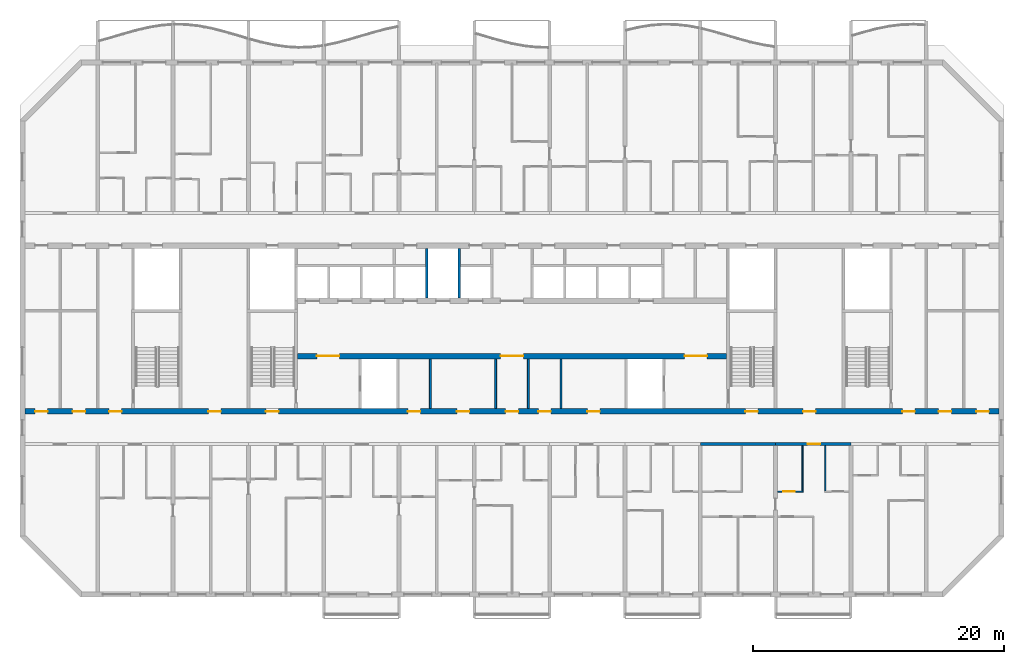
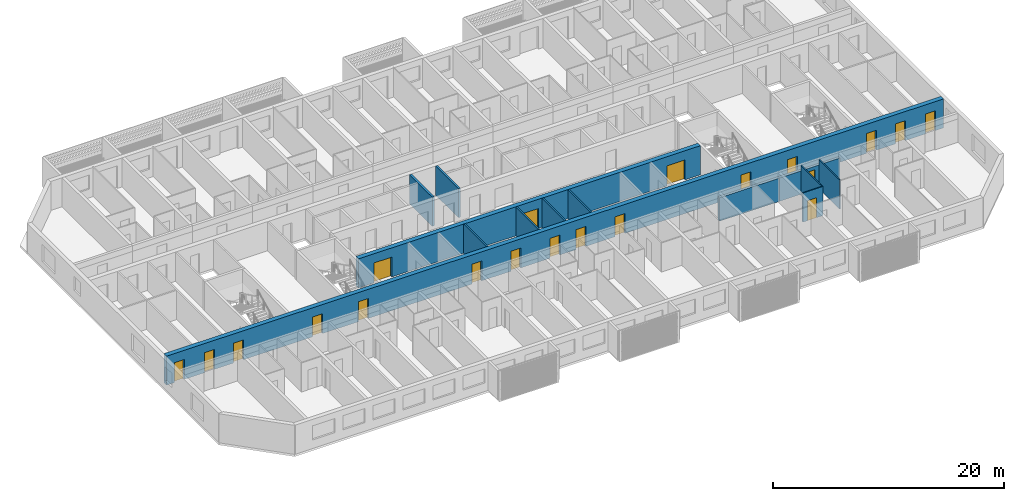
# One storey, part 6 of 32: 20 doors, 13 walls, 20 openings.
"""IFC4 building model written with IfcOpenShell, lengths in metres."""

from ifc_helpers import new_model, si_unit, direction, frame, frame_2d, origin, place, context, subcontext, project, spatial, rectangle, extrude, material, layer, layer_set, type_object, element, fill, save


model = new_model("IFC4")

# Units and contexts
model_context = context("Model", 3, precision=1e-05, world=origin(), true_north=direction((0.0, 1.0)))
body_context = subcontext(model_context, "Body", "Model", "MODEL_VIEW")
ifc_project = project(units=[si_unit("LENGTHUNIT", "METRE"), si_unit("AREAUNIT", "SQUARE_METRE"), si_unit("VOLUMEUNIT", "CUBIC_METRE"), si_unit("PLANEANGLEUNIT", "RADIAN"), si_unit("MASSUNIT", "GRAM", prefix="KILO")], contexts=[model_context])

# Site, building, storey
site_placement = place(None, origin())
site = spatial("IfcSite", under=ifc_project, at=site_placement, CompositionType="ELEMENT")
building_placement = place(site_placement, origin())
building = spatial("IfcBuilding", under=site, at=building_placement, Name="Poui Terraces", CompositionType="ELEMENT")
storey_placement = place(building_placement, frame((0.0, 0.0, 122.39990234375)))
storey = spatial("IfcBuildingStorey", under=building, at=storey_placement, Name="L33", CompositionType="ELEMENT", Elevation=122.39990234375)

# Wall, openings, doors
ifc_material_1 = material(Name="Concrete 65 MPa", Category="concrete")
ifc_layer_1 = layer(ifc_material_1, 0.449951171875)
ifc_layer_set_1 = layer_set([ifc_layer_1], Name="Concrete 65 MPa")
wall_type_1 = type_object("IfcWallType", Name="CORE WALL 450 65 MPA", PredefinedType="SOLIDWALL", material=ifc_layer_set_1)
wall_1_placement = place(storey_placement, frame((33.925048828125, 19.0, 0.0), z_axis=(0.0, 0.0, 1.0), x_axis=(1.0, 0.0, 0.0)))
wall_1 = element("IfcWall", 1, at=wall_1_placement, inside=storey, type_object=wall_type_1, Name="CORE WALL", PredefinedType="SOLIDWALL", context=body_context, shape_type="SweptSolid", body=[
    extrude(rectangle(XDim=34.14990234375, YDim=0.449951171875, at=frame_2d((17.074951171875, 0.0))), origin(), (0.0, 0.0, 1.0), 3.070068359375),
])
opening_1_placement = place(wall_1_placement, frame((16.175048828125, 0.0, 0.0)))
opening_1 = element("IfcOpeningElement", 2, at=opening_1_placement, cuts=wall_1, Name="Opening FDD60", PredefinedType="OPENING", context=body_context, shape_type="SweptSolid", body=[
    extrude(rectangle(XDim=1.800048828125, YDim=2.10009765625, at=frame_2d((0.89990234375, 1.050048828125))), frame((0.0, 0.23486328125, 0.0), z_axis=(0.0, -1.0, 0.0), x_axis=(1.0, 0.0, 0.0)), (0.0, 0.0, 1.0), 0.469970703125),
])
opening_2_placement = place(wall_1_placement, frame((1.52490234375, 0.0, 0.0)))
opening_2 = element("IfcOpeningElement", 3, at=opening_2_placement, cuts=wall_1, Name="Opening FDD60", PredefinedType="OPENING", context=body_context, shape_type="SweptSolid", body=[
    extrude(rectangle(XDim=1.800048828125, YDim=2.10009765625, at=frame_2d((0.89990234375, 1.050048828125))), frame((0.0, 0.23486328125, 0.0), z_axis=(0.0, -1.0, 0.0), x_axis=(1.0, 0.0, 0.0)), (0.0, 0.0, 1.0), 0.469970703125),
])
opening_3_placement = place(wall_1_placement, frame((30.824951171875, 0.0, 0.0)))
opening_3 = element("IfcOpeningElement", 4, at=opening_3_placement, cuts=wall_1, Name="Opening FDD60", PredefinedType="OPENING", context=body_context, shape_type="SweptSolid", body=[
    extrude(rectangle(XDim=1.800048828125, YDim=2.10009765625, at=frame_2d((0.89990234375, 1.050048828125))), frame((0.0, 0.23486328125, 0.0), z_axis=(0.0, -1.0, 0.0), x_axis=(1.0, 0.0, 0.0)), (0.0, 0.0, 1.0), 0.469970703125),
])
ifc_material_2 = material(Name="Steel fire door", Category="steel")
door_type_1 = type_object("IfcDoorType", Name="DOUBLE LOBBY FIRE DOOR 1800 X 2100", OperationType="DOUBLE_DOOR_SINGLE_SWING", PredefinedType="DOOR", material=ifc_material_2)
door_1_placement = place(opening_1_placement, frame((1.800048828125, 0.0, 0.0), z_axis=(0.0, 0.0, 1.0), x_axis=(-1.0, 0.0, 0.0)))
door_1 = element("IfcDoor", 5, at=door_1_placement, inside=storey, type_object=door_type_1, Name="DOUBLE LOBBY FIRE DOOR 126", OperationType="DOUBLE_DOOR_SINGLE_SWING", OverallHeight=2.10009765625, OverallWidth=1.800048828125, PredefinedType="DOOR", context=body_context, shape_type="SweptSolid", body=[
    extrude(rectangle(XDim=1.800048828125, YDim=2.10009765625, at=frame_2d((0.89990234375, 1.050048828125))), frame((0.0, 0.02490234375, 0.0), z_axis=(0.0, -1.0, 0.0), x_axis=(1.0, 0.0, 0.0)), (0.0, 0.0, 1.0), 0.050048828125),
])
fill(opening_1, door_1)
door_2_placement = place(opening_2_placement, origin())
door_2 = element("IfcDoor", 6, at=door_2_placement, inside=storey, type_object=door_type_1, Name="DOUBLE LOBBY FIRE DOOR 128", OperationType="DOUBLE_DOOR_SINGLE_SWING", OverallHeight=2.10009765625, OverallWidth=1.800048828125, PredefinedType="DOOR", context=body_context, shape_type="SweptSolid", body=[
    extrude(rectangle(XDim=1.800048828125, YDim=2.10009765625, at=frame_2d((0.89990234375, 1.050048828125))), frame((0.0, 0.02490234375, 0.0), z_axis=(0.0, -1.0, 0.0), x_axis=(1.0, 0.0, 0.0)), (0.0, 0.0, 1.0), 0.050048828125),
])
fill(opening_2, door_2)
door_3_placement = place(opening_3_placement, origin())
door_3 = element("IfcDoor", 7, at=door_3_placement, inside=storey, type_object=door_type_1, Name="DOUBLE LOBBY FIRE DOOR 135", OperationType="DOUBLE_DOOR_SINGLE_SWING", OverallHeight=2.10009765625, OverallWidth=1.800048828125, PredefinedType="DOOR", context=body_context, shape_type="SweptSolid", body=[
    extrude(rectangle(XDim=1.800048828125, YDim=2.10009765625, at=frame_2d((0.89990234375, 1.050048828125))), frame((0.0, 0.02490234375, 0.0), z_axis=(0.0, -1.0, 0.0), x_axis=(1.0, 0.0, 0.0)), (0.0, 0.0, 1.0), 0.050048828125),
])
fill(opening_3, door_3)

# Walls
ifc_material_3 = material(Name="Fire-rated plasterboard wall")
ifc_layer_2 = layer(ifc_material_3, 0.14990234375)
ifc_layer_set_2 = layer_set([ifc_layer_2], Name="Fire-rated plasterboard wall")
wall_type_2 = type_object("IfcWallType", Name="CORRIDOR WALL 150", PredefinedType="PARTITIONING", material=ifc_layer_set_2)
for number, where, z_axis, x_axis, name in (
    (8, (49.699951171875, 14.8349609375, 0.0), (0.0, 0.0, 1.0), (0.0, 1.0, 0.0), "CORRIDOR WALL 150"),
    (9, (52.300048828125, 14.8349609375, 0.0), (0.0, 0.0, 1.0), (0.0, 1.0, 0.0), "CORRIDOR WALL 150"),
):
    element("IfcWall", number, at=place(storey_placement, frame(where, z_axis=z_axis, x_axis=x_axis)), inside=storey, type_object=wall_type_2, Name=name, PredefinedType="PARTITIONING", context=body_context, shape_type="SweptSolid", body=[
        extrude(rectangle(XDim=3.929931640625, YDim=0.14990234375, at=frame_2d((1.96484375, 0.0))), origin(), (0.0, 0.0, 1.0), 3.070068359375),
    ])
ifc_layer_3 = layer(ifc_material_1, 0.25)
ifc_layer_set_3 = layer_set([ifc_layer_3], Name="Concrete 65 MPa")
wall_type_3 = type_object("IfcWallType", Name="CORRIDOR WALL 250 65MPa", PredefinedType="SHEAR", material=ifc_layer_set_3)
wall_2_placement = place(storey_placement, frame((66.0, 12.0, 0.0), z_axis=(0.0, 0.0, 1.0), x_axis=(1.0, 0.0, 0.0)))
element("IfcWall", 10, at=wall_2_placement, inside=storey, type_object=wall_type_3, Name="CORRIDOR WALL LINE B BAY 10", PredefinedType="SHEAR", context=body_context, shape_type="SweptSolid", body=[
    extrude(rectangle(XDim=6.0, YDim=0.25, at=frame_2d((3.0, 0.0))), origin(), (0.0, 0.0, 1.0), 2.47021484375),
])

# Wall, opening, door
wall_3_placement = place(storey_placement, frame((72.0, 12.0, 0.0), z_axis=(0.0, 0.0, 1.0), x_axis=(1.0, 0.0, 0.0)))
wall_3 = element("IfcWall", 11, at=wall_3_placement, inside=storey, type_object=wall_type_3, Name="CORRIDOR WALL LINE B BAY 11", PredefinedType="SHEAR", context=body_context, shape_type="SweptSolid", body=[
    extrude(rectangle(XDim=6.0, YDim=0.25, at=frame_2d((3.0, 0.0))), origin(), (0.0, 0.0, 1.0), 2.47021484375),
])
opening_4_placement = place(wall_3_placement, frame((2.550048828125, 0.0, 0.0)))
opening_4 = element("IfcOpeningElement", 12, at=opening_4_placement, cuts=wall_3, Name="Opening FD30S", PredefinedType="OPENING", context=body_context, shape_type="SweptSolid", body=[
    extrude(rectangle(XDim=1.0, YDim=2.10009765625, at=frame_2d((0.5, 1.050048828125))), frame((0.0, 0.135009765625, 0.0), z_axis=(0.0, -1.0, 0.0), x_axis=(1.0, 0.0, 0.0)), (0.0, 0.0, 1.0), 0.27001953125),
])
door_type_2 = type_object("IfcDoorType", Name="FLAT ENTRANCE DOOR 1000 X 2100", OperationType="NOTDEFINED", PredefinedType="DOOR", material=ifc_material_2)
door_4_placement = place(opening_4_placement, frame((1.0, 0.0, 0.0), z_axis=(0.0, 0.0, 1.0), x_axis=(-1.0, 0.0, 0.0)))
door_4 = element("IfcDoor", 13, at=door_4_placement, inside=storey, type_object=door_type_2, Name="FLAT ENTRANCE DOOR 114", OperationType="SINGLE_SWING_LEFT", OverallHeight=2.10009765625, OverallWidth=1.0, PredefinedType="DOOR", context=body_context, shape_type="SweptSolid", body=[
    extrude(rectangle(XDim=1.0, YDim=2.10009765625, at=frame_2d((0.5, 1.050048828125))), frame((0.0, 0.02490234375, 0.0), z_axis=(0.0, -1.0, 0.0), x_axis=(1.0, 0.0, 0.0)), (0.0, 0.0, 1.0), 0.050048828125),
])
fill(opening_4, door_4)

ifc_material_4 = material(Name="Plasterboard partition")
ifc_layer_4 = layer(ifc_material_4, 0.10009765625)
ifc_layer_set_4 = layer_set([ifc_layer_4], Name="Plasterboard partition")
wall_type_4 = type_object("IfcWallType", Name="FLAT PARTITION 100", PredefinedType="PARTITIONING", material=ifc_layer_set_4)
wall_4_placement = place(storey_placement, frame((72.159912109375, 8.199951171875, 0.0), z_axis=(0.0, 0.0, 1.0), x_axis=(1.0, 0.0, 0.0)))
wall_4 = element("IfcWall", 14, at=wall_4_placement, inside=storey, type_object=wall_type_4, Name="FLAT PARTITION 100", PredefinedType="PARTITIONING", context=body_context, shape_type="SweptSolid", body=[
    extrude(rectangle(XDim=2.0400390625, YDim=0.10009765625, at=frame_2d((1.02001953125, 0.0))), origin(), (0.0, 0.0, 1.0), 3.070068359375),
])
opening_5_placement = place(wall_4_placement, frame((0.465087890625, 0.0, 0.0)))
opening_5 = element("IfcOpeningElement", 15, at=opening_5_placement, cuts=wall_4, Name="Opening D90", PredefinedType="OPENING", context=body_context, shape_type="SweptSolid", body=[
    extrude(rectangle(XDim=0.89990234375, YDim=2.10009765625, at=frame_2d((0.449951171875, 1.050048828125))), frame((0.0, 0.06005859375, 0.0), z_axis=(0.0, -1.0, 0.0), x_axis=(1.0, 0.0, 0.0)), (0.0, 0.0, 1.0), 0.1201171875),
])
ifc_material_5 = material(Name="Solid core timber door", Category="wood")
door_type_3 = type_object("IfcDoorType", Name="INTERNAL DOOR 900 X 2100", OperationType="NOTDEFINED", PredefinedType="DOOR", material=ifc_material_5)
door_5_placement = place(opening_5_placement, origin())
door_5 = element("IfcDoor", 16, at=door_5_placement, inside=storey, type_object=door_type_3, Name="INTERNAL DOOR 113", OperationType="SINGLE_SWING_LEFT", OverallHeight=2.10009765625, OverallWidth=0.89990234375, PredefinedType="DOOR", context=body_context, shape_type="SweptSolid", body=[
    extrude(rectangle(XDim=0.89990234375, YDim=2.10009765625, at=frame_2d((0.449951171875, 1.050048828125))), frame((0.0, 0.02490234375, 0.0), z_axis=(0.0, -1.0, 0.0), x_axis=(1.0, 0.0, 0.0)), (0.0, 0.0, 1.0), 0.050048828125),
])
fill(opening_5, door_5)

# Walls
for number, where, z_axis, x_axis, name in (
    (17, (74.14990234375, 8.25, 0.0), (0.0, 0.0, 1.0), (0.0, 1.0, 0.0), "FLAT PARTITION 100"),
    (18, (75.949951171875, 8.25, 0.0), (0.0, 0.0, 1.0), (0.0, 1.0, 0.0), "FLAT PARTITION 100"),
):
    element("IfcWall", number, at=place(storey_placement, frame(where, z_axis=z_axis, x_axis=x_axis)), inside=storey, type_object=wall_type_4, Name=name, PredefinedType="PARTITIONING", context=body_context, shape_type="SweptSolid", body=[
        extrude(rectangle(XDim=3.614990234375, YDim=0.10009765625, at=frame_2d((1.8076171875, 0.0))), origin(), (0.0, 0.0, 1.0), 3.070068359375),
    ])
ifc_layer_5 = layer(ifc_material_4, 0.14990234375)
ifc_layer_set_5 = layer_set([ifc_layer_5], Name="Plasterboard partition")
wall_type_5 = type_object("IfcWallType", Name="PARTITION WALL 150", PredefinedType="PARTITIONING", material=ifc_layer_set_5)
for number, where, z_axis, x_axis, name in (
    (19, (44.5, 14.8349609375, 0.0), (0.0, 0.0, 1.0), (0.0, 1.0, 0.0), "PARTITION WALL 150"),
    (20, (54.89990234375, 14.8349609375, 0.0), (0.0, 0.0, 1.0), (0.0, 1.0, 0.0), "PARTITION WALL 150"),
):
    element("IfcWall", number, at=place(storey_placement, frame(where, z_axis=z_axis, x_axis=x_axis)), inside=storey, type_object=wall_type_5, Name=name, PredefinedType="PARTITIONING", context=body_context, shape_type="SweptSolid", body=[
        extrude(rectangle(XDim=3.929931640625, YDim=0.14990234375, at=frame_2d((1.96484375, 0.0))), origin(), (0.0, 0.0, 1.0), 3.070068359375),
    ])
ifc_material_6 = material(Name="Fire-rated masonry shaft wall", Category="masonry")
ifc_layer_6 = layer(ifc_material_6, 0.199951171875)
ifc_layer_set_6 = layer_set([ifc_layer_6], Name="Fire-rated masonry shaft wall")
wall_type_6 = type_object("IfcWallType", Name="SHAFT WALL 200", PredefinedType="PARTITIONING", material=ifc_layer_set_6)
for number, where, z_axis, x_axis, name in (
    (21, (44.199951171875, 23.635009765625, 0.0), (0.0, 0.0, 1.0), (0.0, 1.0, 0.0), "SHAFT WALL 200"),
    (22, (46.800048828125, 23.635009765625, 0.0), (0.0, 0.0, 1.0), (0.0, 1.0, 0.0), "SHAFT WALL 200"),
):
    element("IfcWall", number, at=place(storey_placement, frame(where, z_axis=z_axis, x_axis=x_axis)), inside=storey, type_object=wall_type_6, Name=name, PredefinedType="PARTITIONING", context=body_context, shape_type="SweptSolid", body=[
        extrude(rectangle(XDim=3.929931640625, YDim=0.199951171875, at=frame_2d((1.96484375, 0.0))), origin(), (0.0, 0.0, 1.0), 3.070068359375),
    ])

# Wall, openings, doors
ifc_layer_7 = layer(ifc_material_1, 0.449951171875)
ifc_layer_set_7 = layer_set([ifc_layer_7], Name="Concrete 65 MPa")
wall_type_7 = type_object("IfcWallType", Name="SPINE WALL 450 65 MPA", PredefinedType="SOLIDWALL", material=ifc_layer_set_7)
wall_5_placement = place(storey_placement, frame((12.199951171875, 14.60009765625, 0.0), z_axis=(0.0, 0.0, 1.0), x_axis=(1.0, 0.0, 0.0)))
wall_5 = element("IfcWall", 23, at=wall_5_placement, inside=storey, type_object=wall_type_7, Name="SPINE WALL", PredefinedType="SOLIDWALL", context=body_context, shape_type="SweptSolid", body=[
    extrude(rectangle(XDim=77.60009765625, YDim=0.449951171875, at=frame_2d((38.800048828125, 0.0))), origin(), (0.0, 0.0, 1.0), 3.070068359375),
])
opening_6_placement = place(wall_5_placement, frame((0.800048828125, 0.0, 0.0)))
opening_6 = element("IfcOpeningElement", 24, at=opening_6_placement, cuts=wall_5, Name="Opening D100", PredefinedType="OPENING", context=body_context, shape_type="SweptSolid", body=[
    extrude(rectangle(XDim=1.0, YDim=2.10009765625, at=frame_2d((0.5, 1.050048828125))), frame((0.0, 0.23486328125, 0.0), z_axis=(0.0, -1.0, 0.0), x_axis=(1.0, 0.0, 0.0)), (0.0, 0.0, 1.0), 0.469970703125),
])
opening_7_placement = place(wall_5_placement, frame((3.800048828125, 0.0, 0.0)))
opening_7 = element("IfcOpeningElement", 25, at=opening_7_placement, cuts=wall_5, Name="Opening FD60", PredefinedType="OPENING", context=body_context, shape_type="SweptSolid", body=[
    extrude(rectangle(XDim=1.0, YDim=2.10009765625, at=frame_2d((0.5, 1.050048828125))), frame((0.0, 0.23486328125, 0.0), z_axis=(0.0, -1.0, 0.0), x_axis=(1.0, 0.0, 0.0)), (0.0, 0.0, 1.0), 0.469970703125),
])
opening_8_placement = place(wall_5_placement, frame((6.699951171875, 0.0, 0.0)))
opening_8 = element("IfcOpeningElement", 26, at=opening_8_placement, cuts=wall_5, Name="Opening FDL", PredefinedType="OPENING", context=body_context, shape_type="SweptSolid", body=[
    extrude(rectangle(XDim=1.0, YDim=2.10009765625, at=frame_2d((0.5, 1.050048828125))), frame((0.0, 0.23486328125, 0.0), z_axis=(0.0, -1.0, 0.0), x_axis=(1.0, 0.0, 0.0)), (0.0, 0.0, 1.0), 0.469970703125),
])
opening_9_placement = place(wall_5_placement, frame((14.60009765625, 0.0, 0.0)))
opening_9 = element("IfcOpeningElement", 27, at=opening_9_placement, cuts=wall_5, Name="Opening D100", PredefinedType="OPENING", context=body_context, shape_type="SweptSolid", body=[
    extrude(rectangle(XDim=1.0, YDim=2.10009765625, at=frame_2d((0.5, 1.050048828125))), frame((0.0, 0.23486328125, 0.0), z_axis=(0.0, -1.0, 0.0), x_axis=(1.0, 0.0, 0.0)), (0.0, 0.0, 1.0), 0.469970703125),
])
opening_10_placement = place(wall_5_placement, frame((19.199951171875, 0.0, 0.0)))
opening_10 = element("IfcOpeningElement", 28, at=opening_10_placement, cuts=wall_5, Name="Opening FD60S", PredefinedType="OPENING", context=body_context, shape_type="SweptSolid", body=[
    extrude(rectangle(XDim=1.0, YDim=2.10009765625, at=frame_2d((0.5, 1.050048828125))), frame((0.0, 0.23486328125, 0.0), z_axis=(0.0, -1.0, 0.0), x_axis=(1.0, 0.0, 0.0)), (0.0, 0.0, 1.0), 0.469970703125),
])
opening_11_placement = place(wall_5_placement, frame((30.5, 0.0, 0.0)))
opening_11 = element("IfcOpeningElement", 29, at=opening_11_placement, cuts=wall_5, Name="Opening FD60", PredefinedType="OPENING", context=body_context, shape_type="SweptSolid", body=[
    extrude(rectangle(XDim=1.0, YDim=2.10009765625, at=frame_2d((0.5, 1.050048828125))), frame((0.0, 0.23486328125, 0.0), z_axis=(0.0, -1.0, 0.0), x_axis=(1.0, 0.0, 0.0)), (0.0, 0.0, 1.0), 0.469970703125),
])
opening_12_placement = place(wall_5_placement, frame((34.39990234375, 0.0, 0.0)))
opening_12 = element("IfcOpeningElement", 30, at=opening_12_placement, cuts=wall_5, Name="Opening FD60", PredefinedType="OPENING", context=body_context, shape_type="SweptSolid", body=[
    extrude(rectangle(XDim=1.0, YDim=2.10009765625, at=frame_2d((0.5, 1.050048828125))), frame((0.0, 0.23486328125, 0.0), z_axis=(0.0, -1.0, 0.0), x_axis=(1.0, 0.0, 0.0)), (0.0, 0.0, 1.0), 0.469970703125),
])
opening_13_placement = place(wall_5_placement, frame((38.300048828125, 0.0, 0.0)))
opening_13 = element("IfcOpeningElement", 31, at=opening_13_placement, cuts=wall_5, Name="Opening FDL", PredefinedType="OPENING", context=body_context, shape_type="SweptSolid", body=[
    extrude(rectangle(XDim=1.0, YDim=2.10009765625, at=frame_2d((0.5, 1.050048828125))), frame((0.0, 0.23486328125, 0.0), z_axis=(0.0, -1.0, 0.0), x_axis=(1.0, 0.0, 0.0)), (0.0, 0.0, 1.0), 0.469970703125),
])
opening_14_placement = place(wall_5_placement, frame((40.89990234375, 0.0, 0.0)))
opening_14 = element("IfcOpeningElement", 32, at=opening_14_placement, cuts=wall_5, Name="Opening FD60", PredefinedType="OPENING", context=body_context, shape_type="SweptSolid", body=[
    extrude(rectangle(XDim=1.0, YDim=2.10009765625, at=frame_2d((0.5, 1.050048828125))), frame((0.0, 0.23486328125, 0.0), z_axis=(0.0, -1.0, 0.0), x_axis=(1.0, 0.0, 0.0)), (0.0, 0.0, 1.0), 0.469970703125),
])
opening_15_placement = place(wall_5_placement, frame((44.800048828125, 0.0, 0.0)))
opening_15 = element("IfcOpeningElement", 33, at=opening_15_placement, cuts=wall_5, Name="Opening FD60", PredefinedType="OPENING", context=body_context, shape_type="SweptSolid", body=[
    extrude(rectangle(XDim=1.0, YDim=2.10009765625, at=frame_2d((0.5, 1.050048828125))), frame((0.0, 0.23486328125, 0.0), z_axis=(0.0, -1.0, 0.0), x_axis=(1.0, 0.0, 0.0)), (0.0, 0.0, 1.0), 0.469970703125),
])
opening_16_placement = place(wall_5_placement, frame((57.39990234375, 0.0, 0.0)))
opening_16 = element("IfcOpeningElement", 34, at=opening_16_placement, cuts=wall_5, Name="Opening FD60S", PredefinedType="OPENING", context=body_context, shape_type="SweptSolid", body=[
    extrude(rectangle(XDim=1.0, YDim=2.10009765625, at=frame_2d((0.5, 1.050048828125))), frame((0.0, 0.23486328125, 0.0), z_axis=(0.0, -1.0, 0.0), x_axis=(1.0, 0.0, 0.0)), (0.0, 0.0, 1.0), 0.469970703125),
])
opening_17_placement = place(wall_5_placement, frame((62.0, 0.0, 0.0)))
opening_17 = element("IfcOpeningElement", 35, at=opening_17_placement, cuts=wall_5, Name="Opening D100", PredefinedType="OPENING", context=body_context, shape_type="SweptSolid", body=[
    extrude(rectangle(XDim=1.0, YDim=2.10009765625, at=frame_2d((0.5, 1.050048828125))), frame((0.0, 0.23486328125, 0.0), z_axis=(0.0, -1.0, 0.0), x_axis=(1.0, 0.0, 0.0)), (0.0, 0.0, 1.0), 0.469970703125),
])
opening_18_placement = place(wall_5_placement, frame((69.89990234375, 0.0, 0.0)))
opening_18 = element("IfcOpeningElement", 36, at=opening_18_placement, cuts=wall_5, Name="Opening FDL", PredefinedType="OPENING", context=body_context, shape_type="SweptSolid", body=[
    extrude(rectangle(XDim=1.0, YDim=2.10009765625, at=frame_2d((0.5, 1.050048828125))), frame((0.0, 0.23486328125, 0.0), z_axis=(0.0, -1.0, 0.0), x_axis=(1.0, 0.0, 0.0)), (0.0, 0.0, 1.0), 0.469970703125),
])
opening_19_placement = place(wall_5_placement, frame((72.800048828125, 0.0, 0.0)))
opening_19 = element("IfcOpeningElement", 37, at=opening_19_placement, cuts=wall_5, Name="Opening FD60", PredefinedType="OPENING", context=body_context, shape_type="SweptSolid", body=[
    extrude(rectangle(XDim=1.0, YDim=2.10009765625, at=frame_2d((0.5, 1.050048828125))), frame((0.0, 0.23486328125, 0.0), z_axis=(0.0, -1.0, 0.0), x_axis=(1.0, 0.0, 0.0)), (0.0, 0.0, 1.0), 0.469970703125),
])
opening_20_placement = place(wall_5_placement, frame((75.800048828125, 0.0, 0.0)))
opening_20 = element("IfcOpeningElement", 38, at=opening_20_placement, cuts=wall_5, Name="Opening FD60", PredefinedType="OPENING", context=body_context, shape_type="SweptSolid", body=[
    extrude(rectangle(XDim=1.0, YDim=2.10009765625, at=frame_2d((0.5, 1.050048828125))), frame((0.0, 0.23486328125, 0.0), z_axis=(0.0, -1.0, 0.0), x_axis=(1.0, 0.0, 0.0)), (0.0, 0.0, 1.0), 0.469970703125),
])
door_type_4 = type_object("IfcDoorType", Name="ACCESSIBLE INTERNAL DOOR 1000 X 2100", OperationType="NOTDEFINED", PredefinedType="DOOR", material=ifc_material_5)
door_6_placement = place(opening_6_placement, frame((1.0, 0.0, 0.0), z_axis=(0.0, 0.0, 1.0), x_axis=(-1.0, 0.0, 0.0)))
door_6 = element("IfcDoor", 39, at=door_6_placement, inside=storey, type_object=door_type_4, Name="ACCESSIBLE INTERNAL DOOR 019", OperationType="SINGLE_SWING_RIGHT", OverallHeight=2.10009765625, OverallWidth=1.0, PredefinedType="DOOR", context=body_context, shape_type="SweptSolid", body=[
    extrude(rectangle(XDim=1.0, YDim=2.10009765625, at=frame_2d((0.5, 1.050048828125))), frame((0.0, 0.02490234375, 0.0), z_axis=(0.0, -1.0, 0.0), x_axis=(1.0, 0.0, 0.0)), (0.0, 0.0, 1.0), 0.050048828125),
])
fill(opening_6, door_6)
door_7_placement = place(opening_9_placement, frame((1.0, 0.0, 0.0), z_axis=(0.0, 0.0, 1.0), x_axis=(-1.0, 0.0, 0.0)))
door_7 = element("IfcDoor", 40, at=door_7_placement, inside=storey, type_object=door_type_4, Name="ACCESSIBLE INTERNAL DOOR 022", OperationType="SINGLE_SWING_RIGHT", OverallHeight=2.10009765625, OverallWidth=1.0, PredefinedType="DOOR", context=body_context, shape_type="SweptSolid", body=[
    extrude(rectangle(XDim=1.0, YDim=2.10009765625, at=frame_2d((0.5, 1.050048828125))), frame((0.0, 0.02490234375, 0.0), z_axis=(0.0, -1.0, 0.0), x_axis=(1.0, 0.0, 0.0)), (0.0, 0.0, 1.0), 0.050048828125),
])
fill(opening_9, door_7)
door_8_placement = place(opening_17_placement, frame((1.0, 0.0, 0.0), z_axis=(0.0, 0.0, 1.0), x_axis=(-1.0, 0.0, 0.0)))
door_8 = element("IfcDoor", 41, at=door_8_placement, inside=storey, type_object=door_type_4, Name="ACCESSIBLE INTERNAL DOOR 030", OperationType="SINGLE_SWING_LEFT", OverallHeight=2.10009765625, OverallWidth=1.0, PredefinedType="DOOR", context=body_context, shape_type="SweptSolid", body=[
    extrude(rectangle(XDim=1.0, YDim=2.10009765625, at=frame_2d((0.5, 1.050048828125))), frame((0.0, 0.02490234375, 0.0), z_axis=(0.0, -1.0, 0.0), x_axis=(1.0, 0.0, 0.0)), (0.0, 0.0, 1.0), 0.050048828125),
])
fill(opening_17, door_8)
door_type_5 = type_object("IfcDoorType", Name="LOBBY FIRE DOOR 1000 X 2100", OperationType="NOTDEFINED", PredefinedType="DOOR", material=ifc_material_2)
door_9_placement = place(opening_8_placement, frame((1.0, 0.0, 0.0), z_axis=(0.0, 0.0, 1.0), x_axis=(-1.0, 0.0, 0.0)))
door_9 = element("IfcDoor", 42, at=door_9_placement, inside=storey, type_object=door_type_5, Name="LOBBY FIRE DOOR 021", OperationType="SINGLE_SWING_RIGHT", OverallHeight=2.10009765625, OverallWidth=1.0, PredefinedType="DOOR", context=body_context, shape_type="SweptSolid", body=[
    extrude(rectangle(XDim=1.0, YDim=2.10009765625, at=frame_2d((0.5, 1.050048828125))), frame((0.0, 0.02490234375, 0.0), z_axis=(0.0, -1.0, 0.0), x_axis=(1.0, 0.0, 0.0)), (0.0, 0.0, 1.0), 0.050048828125),
])
fill(opening_8, door_9)
door_10_placement = place(opening_13_placement, frame((1.0, 0.0, 0.0), z_axis=(0.0, 0.0, 1.0), x_axis=(-1.0, 0.0, 0.0)))
door_10 = element("IfcDoor", 43, at=door_10_placement, inside=storey, type_object=door_type_5, Name="LOBBY FIRE DOOR 026", OperationType="SINGLE_SWING_LEFT", OverallHeight=2.10009765625, OverallWidth=1.0, PredefinedType="DOOR", context=body_context, shape_type="SweptSolid", body=[
    extrude(rectangle(XDim=1.0, YDim=2.10009765625, at=frame_2d((0.5, 1.050048828125))), frame((0.0, 0.02490234375, 0.0), z_axis=(0.0, -1.0, 0.0), x_axis=(1.0, 0.0, 0.0)), (0.0, 0.0, 1.0), 0.050048828125),
])
fill(opening_13, door_10)
door_11_placement = place(opening_18_placement, frame((1.0, 0.0, 0.0), z_axis=(0.0, 0.0, 1.0), x_axis=(-1.0, 0.0, 0.0)))
door_11 = element("IfcDoor", 44, at=door_11_placement, inside=storey, type_object=door_type_5, Name="LOBBY FIRE DOOR 031", OperationType="SINGLE_SWING_LEFT", OverallHeight=2.10009765625, OverallWidth=1.0, PredefinedType="DOOR", context=body_context, shape_type="SweptSolid", body=[
    extrude(rectangle(XDim=1.0, YDim=2.10009765625, at=frame_2d((0.5, 1.050048828125))), frame((0.0, 0.02490234375, 0.0), z_axis=(0.0, -1.0, 0.0), x_axis=(1.0, 0.0, 0.0)), (0.0, 0.0, 1.0), 0.050048828125),
])
fill(opening_18, door_11)
door_type_6 = type_object("IfcDoorType", Name="SERVICE ROOM FIRE DOOR 1000 X 2100", OperationType="NOTDEFINED", PredefinedType="DOOR", material=ifc_material_2)
door_12_placement = place(opening_7_placement, frame((1.0, 0.0, 0.0), z_axis=(0.0, 0.0, 1.0), x_axis=(-1.0, 0.0, 0.0)))
door_12 = element("IfcDoor", 45, at=door_12_placement, inside=storey, type_object=door_type_6, Name="SERVICE ROOM FIRE DOOR 020", OperationType="SINGLE_SWING_LEFT", OverallHeight=2.10009765625, OverallWidth=1.0, PredefinedType="DOOR", context=body_context, shape_type="SweptSolid", body=[
    extrude(rectangle(XDim=1.0, YDim=2.10009765625, at=frame_2d((0.5, 1.050048828125))), frame((0.0, 0.02490234375, 0.0), z_axis=(0.0, -1.0, 0.0), x_axis=(1.0, 0.0, 0.0)), (0.0, 0.0, 1.0), 0.050048828125),
])
fill(opening_7, door_12)
door_13_placement = place(opening_11_placement, frame((1.0, 0.0, 0.0), z_axis=(0.0, 0.0, 1.0), x_axis=(-1.0, 0.0, 0.0)))
door_13 = element("IfcDoor", 46, at=door_13_placement, inside=storey, type_object=door_type_6, Name="SERVICE ROOM FIRE DOOR 024", OperationType="SINGLE_SWING_LEFT", OverallHeight=2.10009765625, OverallWidth=1.0, PredefinedType="DOOR", context=body_context, shape_type="SweptSolid", body=[
    extrude(rectangle(XDim=1.0, YDim=2.10009765625, at=frame_2d((0.5, 1.050048828125))), frame((0.0, 0.02490234375, 0.0), z_axis=(0.0, -1.0, 0.0), x_axis=(1.0, 0.0, 0.0)), (0.0, 0.0, 1.0), 0.050048828125),
])
fill(opening_11, door_13)
door_14_placement = place(opening_12_placement, frame((1.0, 0.0, 0.0), z_axis=(0.0, 0.0, 1.0), x_axis=(-1.0, 0.0, 0.0)))
door_14 = element("IfcDoor", 47, at=door_14_placement, inside=storey, type_object=door_type_6, Name="SERVICE ROOM FIRE DOOR 025", OperationType="SINGLE_SWING_RIGHT", OverallHeight=2.10009765625, OverallWidth=1.0, PredefinedType="DOOR", context=body_context, shape_type="SweptSolid", body=[
    extrude(rectangle(XDim=1.0, YDim=2.10009765625, at=frame_2d((0.5, 1.050048828125))), frame((0.0, 0.02490234375, 0.0), z_axis=(0.0, -1.0, 0.0), x_axis=(1.0, 0.0, 0.0)), (0.0, 0.0, 1.0), 0.050048828125),
])
fill(opening_12, door_14)
door_15_placement = place(opening_14_placement, frame((1.0, 0.0, 0.0), z_axis=(0.0, 0.0, 1.0), x_axis=(-1.0, 0.0, 0.0)))
door_15 = element("IfcDoor", 48, at=door_15_placement, inside=storey, type_object=door_type_6, Name="SERVICE ROOM FIRE DOOR 027", OperationType="SINGLE_SWING_LEFT", OverallHeight=2.10009765625, OverallWidth=1.0, PredefinedType="DOOR", context=body_context, shape_type="SweptSolid", body=[
    extrude(rectangle(XDim=1.0, YDim=2.10009765625, at=frame_2d((0.5, 1.050048828125))), frame((0.0, 0.02490234375, 0.0), z_axis=(0.0, -1.0, 0.0), x_axis=(1.0, 0.0, 0.0)), (0.0, 0.0, 1.0), 0.050048828125),
])
fill(opening_14, door_15)
door_16_placement = place(opening_15_placement, frame((1.0, 0.0, 0.0), z_axis=(0.0, 0.0, 1.0), x_axis=(-1.0, 0.0, 0.0)))
door_16 = element("IfcDoor", 49, at=door_16_placement, inside=storey, type_object=door_type_6, Name="SERVICE ROOM FIRE DOOR 028", OperationType="SINGLE_SWING_RIGHT", OverallHeight=2.10009765625, OverallWidth=1.0, PredefinedType="DOOR", context=body_context, shape_type="SweptSolid", body=[
    extrude(rectangle(XDim=1.0, YDim=2.10009765625, at=frame_2d((0.5, 1.050048828125))), frame((0.0, 0.02490234375, 0.0), z_axis=(0.0, -1.0, 0.0), x_axis=(1.0, 0.0, 0.0)), (0.0, 0.0, 1.0), 0.050048828125),
])
fill(opening_15, door_16)
door_17_placement = place(opening_19_placement, frame((1.0, 0.0, 0.0), z_axis=(0.0, 0.0, 1.0), x_axis=(-1.0, 0.0, 0.0)))
door_17 = element("IfcDoor", 50, at=door_17_placement, inside=storey, type_object=door_type_6, Name="SERVICE ROOM FIRE DOOR 032", OperationType="SINGLE_SWING_RIGHT", OverallHeight=2.10009765625, OverallWidth=1.0, PredefinedType="DOOR", context=body_context, shape_type="SweptSolid", body=[
    extrude(rectangle(XDim=1.0, YDim=2.10009765625, at=frame_2d((0.5, 1.050048828125))), frame((0.0, 0.02490234375, 0.0), z_axis=(0.0, -1.0, 0.0), x_axis=(1.0, 0.0, 0.0)), (0.0, 0.0, 1.0), 0.050048828125),
])
fill(opening_19, door_17)
door_18_placement = place(opening_20_placement, frame((1.0, 0.0, 0.0), z_axis=(0.0, 0.0, 1.0), x_axis=(-1.0, 0.0, 0.0)))
door_18 = element("IfcDoor", 51, at=door_18_placement, inside=storey, type_object=door_type_6, Name="SERVICE ROOM FIRE DOOR 033", OperationType="SINGLE_SWING_LEFT", OverallHeight=2.10009765625, OverallWidth=1.0, PredefinedType="DOOR", context=body_context, shape_type="SweptSolid", body=[
    extrude(rectangle(XDim=1.0, YDim=2.10009765625, at=frame_2d((0.5, 1.050048828125))), frame((0.0, 0.02490234375, 0.0), z_axis=(0.0, -1.0, 0.0), x_axis=(1.0, 0.0, 0.0)), (0.0, 0.0, 1.0), 0.050048828125),
])
fill(opening_20, door_18)
door_type_7 = type_object("IfcDoorType", Name="STAIR DOOR 1000 X 2100", OperationType="NOTDEFINED", PredefinedType="DOOR", material=ifc_material_2)
door_19_placement = place(opening_10_placement, origin())
door_19 = element("IfcDoor", 52, at=door_19_placement, inside=storey, type_object=door_type_7, Name="STAIR DOOR 023", OperationType="SINGLE_SWING_RIGHT", OverallHeight=2.10009765625, OverallWidth=1.0, PredefinedType="DOOR", context=body_context, shape_type="SweptSolid", body=[
    extrude(rectangle(XDim=1.0, YDim=2.10009765625, at=frame_2d((0.5, 1.050048828125))), frame((0.0, 0.02490234375, 0.0), z_axis=(0.0, -1.0, 0.0), x_axis=(1.0, 0.0, 0.0)), (0.0, 0.0, 1.0), 0.050048828125),
])
fill(opening_10, door_19)
door_20_placement = place(opening_16_placement, origin())
door_20 = element("IfcDoor", 53, at=door_20_placement, inside=storey, type_object=door_type_7, Name="STAIR DOOR 029", OperationType="SINGLE_SWING_RIGHT", OverallHeight=2.10009765625, OverallWidth=1.0, PredefinedType="DOOR", context=body_context, shape_type="SweptSolid", body=[
    extrude(rectangle(XDim=1.0, YDim=2.10009765625, at=frame_2d((0.5, 1.050048828125))), frame((0.0, 0.02490234375, 0.0), z_axis=(0.0, -1.0, 0.0), x_axis=(1.0, 0.0, 0.0)), (0.0, 0.0, 1.0), 0.050048828125),
])
fill(opening_16, door_20)

save(model, "model.ifc")
